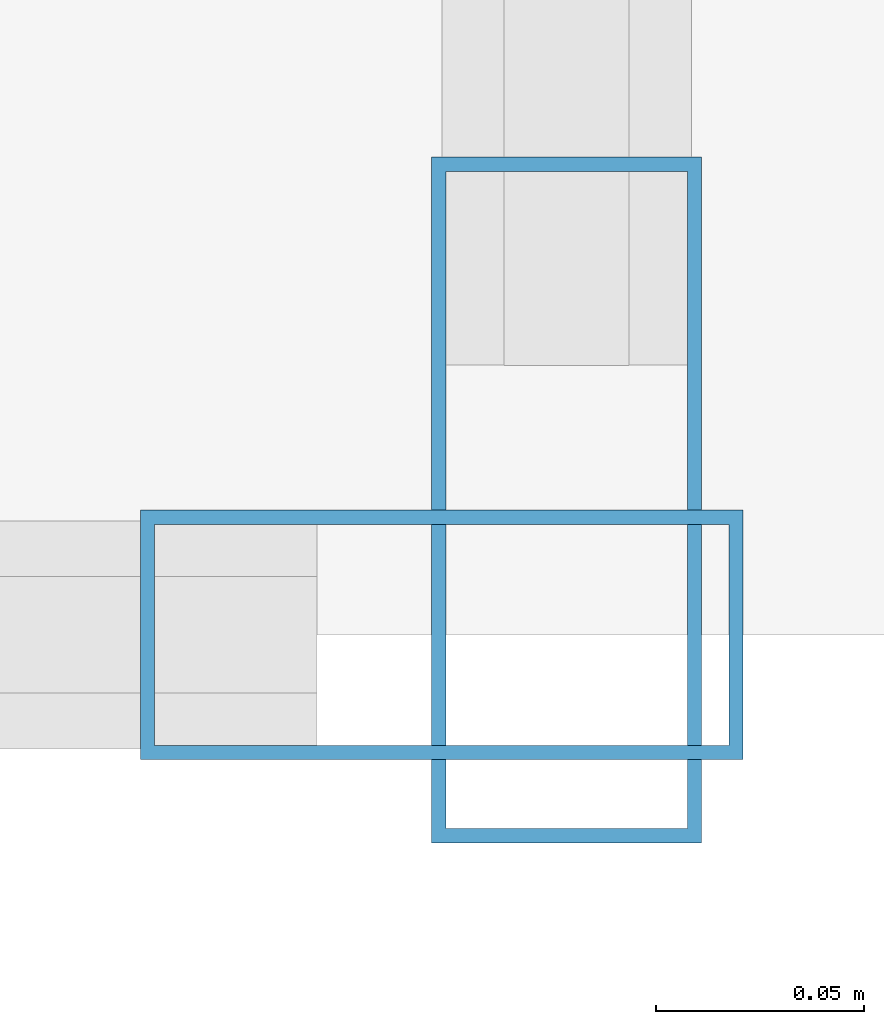
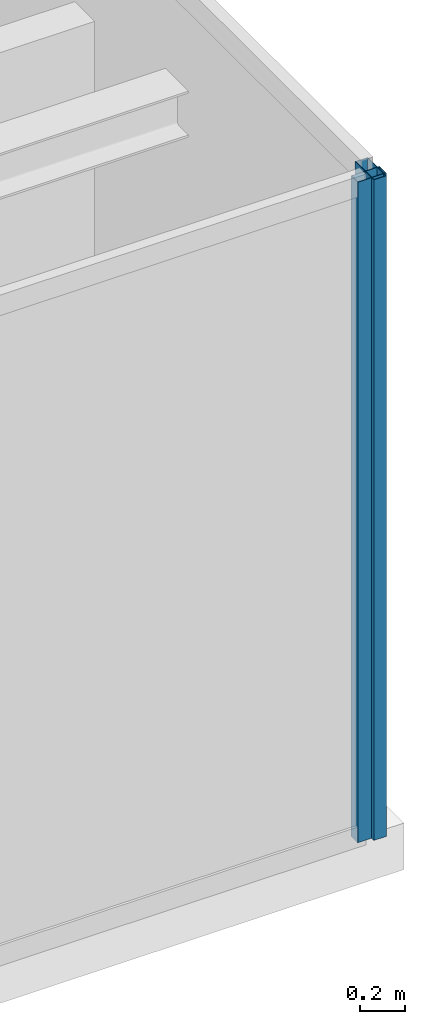
# One storey, part 13 of 25: 2 members, 2 elements without a shape of their own.
"""IFC4 building model written with IfcOpenShell, lengths in metres."""

from ifc_helpers import new_model, si_unit, direction, frame, origin, origin_2d, place, context, subcontext, project, spatial, hollow_rectangle, extrude, source, transform, mapped, material, layer, layer_set, material_profile, profile_set, type_object, type_shapes, element, aggregate, save


model = new_model("IFC4")

# Units and contexts
model_context = context("Model", 3, precision=1e-05, world=origin(), true_north=direction((0.0, 1.0)))
body_context = subcontext(model_context, "Body", "Model", "MODEL_VIEW")
ifc_project = project(units=[si_unit("LENGTHUNIT", "METRE"), si_unit("AREAUNIT", "SQUARE_METRE"), si_unit("VOLUMEUNIT", "CUBIC_METRE"), si_unit("PLANEANGLEUNIT", "RADIAN"), si_unit("MASSUNIT", "GRAM", prefix="KILO")], contexts=[model_context])

# Site, building, storey
site_placement = place(None, origin())
site = spatial("IfcSite", under=ifc_project, at=site_placement, CompositionType="ELEMENT")
building_placement = place(site_placement, origin())
building = spatial("IfcBuilding", under=site, at=building_placement, Name="Varnel Quay Broadcast Tower", CompositionType="ELEMENT")
storey_placement = place(building_placement, frame((0.0, 0.0, 226.39990234375)))
storey = spatial("IfcBuildingStorey", under=building, at=storey_placement, Name="L56", CompositionType="ELEMENT", Elevation=226.39990234375)

# Curtain wall, member
ifc_material = material(Name="Anodised Bronze Aluminium 6063-T6", Category="aluminium")
ifc_layer_1 = layer(ifc_material, 0.18994140625, Name="Anodised Bronze Aluminium 6063-T6")
ifc_layer_set_1 = layer_set([ifc_layer_1], Name="Anodised Bronze Aluminium 6063-T6")
curtain_wall_type_1 = type_object("IfcCurtainWallType", Name="CW_NotchCorner", PredefinedType="NOTDEFINED", material=ifc_layer_set_1)
curtain_wall_1_placement = place(storey_placement, origin())
curtain_wall_1 = element("IfcCurtainWall", 1, at=curtain_wall_1_placement, inside=storey, type_object=curtain_wall_type_1, Name="L56 SE Notch Curtain Wall", PredefinedType="NOTDEFINED")
ifc_material_profile_1 = material_profile(ifc_material, hollow_rectangle(XDim=0.06005859375, YDim=0.14501953125, WallThickness=0.00341796875, at=origin_2d()), Name="ALU60X145X3.5")
ifc_profile_set_1 = profile_set([ifc_material_profile_1], Name="Anodised Bronze Aluminium 6063-T6")
member_type_1 = type_object("IfcMemberType", Name="Mull_CWS-04", PredefinedType="MULLION", material=ifc_profile_set_1)
shared_shape_1 = source(origin(), body_context, "Body", "SweptSolid", [
    extrude(hollow_rectangle(XDim=0.06005859375, YDim=0.14501953125, WallThickness=0.00341796875, at=origin_2d()), origin(), (0.0, 0.0, 1.0), 3.550048828125),
])
type_shapes(member_type_1, [shared_shape_1])
member_1_placement = place(storey_placement, frame((58.320068359375, 13.60009765625, 0.0), z_axis=(0.0, 0.0, 1.0), x_axis=(0.0, 1.0, 0.0)))
member_1 = element("IfcMember", 2, at=member_1_placement, type_object=member_type_1, Name="CWS-04 mullion 2", PredefinedType="MULLION", context=body_context, shape_type="MappedRepresentation", body=[
    mapped(shared_shape_1, transform((0.0, 0.0, 0.0), x_axis=(1.0, 0.0, 0.0), y_axis=(0.0, 1.0, 0.0), z_axis=(0.0, 0.0, 1.0), scale=1.0)),
])
aggregate(curtain_wall_1, [member_1])

ifc_layer_2 = layer(ifc_material, 0.18994140625, Name="Anodised Bronze Aluminium 6063-T6")
ifc_layer_set_2 = layer_set([ifc_layer_2], Name="Anodised Bronze Aluminium 6063-T6")
curtain_wall_type_2 = type_object("IfcCurtainWallType", Name="CW_UpperTower", PredefinedType="NOTDEFINED", material=ifc_layer_set_2)
curtain_wall_2_placement = place(storey_placement, origin())
curtain_wall_2 = element("IfcCurtainWall", 3, at=curtain_wall_2_placement, inside=storey, type_object=curtain_wall_type_2, Name="L56 East Unitised Curtain Wall", PredefinedType="NOTDEFINED")
ifc_material_profile_2 = material_profile(ifc_material, hollow_rectangle(XDim=0.06494140625, YDim=0.1650390625, WallThickness=0.00341796875, at=origin_2d()), Name="ALU65X165X3.5")
ifc_profile_set_2 = profile_set([ifc_material_profile_2], Name="Anodised Bronze Aluminium 6063-T6")
member_type_2 = type_object("IfcMemberType", Name="Mull_CWS-03", PredefinedType="MULLION", material=ifc_profile_set_2)
shared_shape_2 = source(origin(), body_context, "Body", "SweptSolid", [
    extrude(hollow_rectangle(XDim=0.06494140625, YDim=0.1650390625, WallThickness=0.00341796875, at=origin_2d()), origin(), (0.0, 0.0, 1.0), 3.550048828125),
])
type_shapes(member_type_2, [shared_shape_2])
member_2_placement = place(storey_placement, frame((58.35009765625, 13.632568359375, 0.0), z_axis=(0.0, 0.0, 1.0), x_axis=(-1.0, 0.0, 0.0)))
member_2 = element("IfcMember", 4, at=member_2_placement, type_object=member_type_2, Name="CWS-03 mullion 1", PredefinedType="MULLION", context=body_context, shape_type="MappedRepresentation", body=[
    mapped(shared_shape_2, transform((0.0, 0.0, 0.0), x_axis=(1.0, 0.0, 0.0), y_axis=(0.0, 1.0, 0.0), z_axis=(0.0, 0.0, 1.0), scale=1.0)),
])
aggregate(curtain_wall_2, [member_2])

save(model, "model.ifc")
